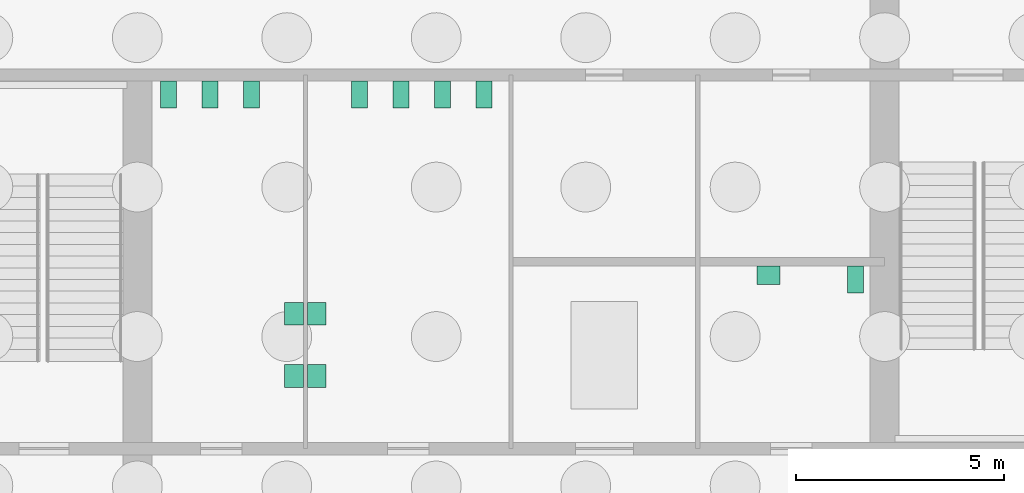
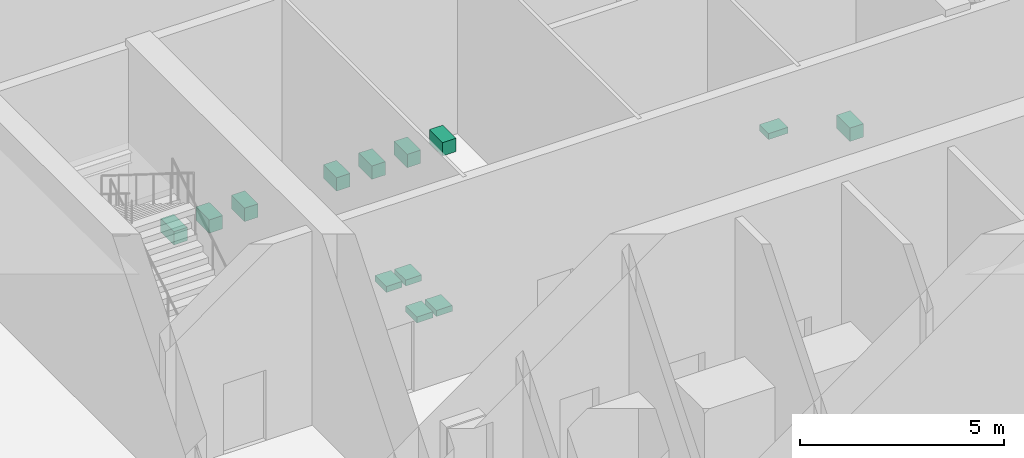
# One storey, part 23 of 24: 13 sanitary terminals.
"""IFC4 building model written with IfcOpenShell, lengths in metres."""

from ifc_helpers import new_model, si_unit, direction, frame, origin, origin_2d, place, context, subcontext, project, spatial, rectangle, extrude, material, type_object, element, save


model = new_model("IFC4")

# Units and contexts
model_context = context("Model", 3, precision=1e-05, world=origin(), true_north=direction((0.0, 1.0)))
body_context = subcontext(model_context, "Body", "Model", "MODEL_VIEW")
ifc_project = project(units=[si_unit("LENGTHUNIT", "METRE"), si_unit("AREAUNIT", "SQUARE_METRE"), si_unit("VOLUMEUNIT", "CUBIC_METRE"), si_unit("PLANEANGLEUNIT", "RADIAN"), si_unit("MASSUNIT", "GRAM", prefix="KILO")], contexts=[model_context])

# Site, building, storey
site_placement = place(None, origin())
site = spatial("IfcSite", under=ifc_project, at=site_placement, CompositionType="ELEMENT")
building_placement = place(site_placement, origin())
building = spatial("IfcBuilding", under=site, at=building_placement, Name="Corais Broadcast Tower", CompositionType="ELEMENT")
storey_placement = place(building_placement, origin())
storey = spatial("IfcBuildingStorey", under=building, at=storey_placement, Name="L00", CompositionType="ELEMENT", Elevation=0.0)

# Sanitary terminals
ifc_material_1 = material(Name="Vitreous china", Category="ceramic")
sanitary_terminal_type_1 = type_object("IfcSanitaryTerminalType", Name="WC pan 380x650", PredefinedType="TOILETPAN", material=ifc_material_1)
for number, where, z_axis, x_axis, name in (
    (1, (18.75, 31.02490234375, 0.0), (0.0, 0.0, 1.0), (1.0, 0.0, 0.0), "SW1 WC pan, male toilets L00"),
    (2, (19.75, 31.02490234375, 0.0), (0.0, 0.0, 1.0), (1.0, 0.0, 0.0), "SW1 WC pan, male toilets L00"),
    (3, (20.75, 31.02490234375, 0.0), (0.0, 0.0, 1.0), (1.0, 0.0, 0.0), "SW1 WC pan, male toilets L00"),
    (4, (23.35009765625, 31.02490234375, 0.0), (0.0, 0.0, 1.0), (1.0, 0.0, 0.0), "SW1 WC pan, female toilets L00"),
    (5, (24.35009765625, 31.02490234375, 0.0), (0.0, 0.0, 1.0), (1.0, 0.0, 0.0), "SW1 WC pan, female toilets L00"),
    (6, (25.35009765625, 31.02490234375, 0.0), (0.0, 0.0, 1.0), (1.0, 0.0, 0.0), "SW1 WC pan, female toilets L00"),
    (7, (26.35009765625, 31.02490234375, 0.0), (0.0, 0.0, 1.0), (1.0, 0.0, 0.0), "SW1 WC pan, female toilets L00"),
    (8, (35.300048828125, 26.574951171875, 0.0), (0.0, 0.0, 1.0), (1.0, 0.0, 0.0), "SW1 WC pan, accessible WC L00"),
):
    element("IfcSanitaryTerminal", number, at=place(storey_placement, frame(where, z_axis=z_axis, x_axis=x_axis)), inside=storey, type_object=sanitary_terminal_type_1, Name=name, PredefinedType="TOILETPAN", context=body_context, shape_type="SweptSolid", body=[
        extrude(rectangle(XDim=0.3798828125, YDim=0.64990234375, at=origin_2d()), origin(), (0.0, 0.0, 1.0), 0.39990234375),
    ])
ifc_material_2 = material(Name="Vitreous china", Category="ceramic")
sanitary_terminal_type_2 = type_object("IfcSanitaryTerminalType", Name="Wash basin 550x450", PredefinedType="WASHHANDBASIN", material=ifc_material_2)
for number, where, z_axis, x_axis, name in (
    (9, (21.77490234375, 24.25, 0.7001953125), (0.0, 0.0, 1.0), (1.0, 0.0, 0.0), "WB1 wash basin, male toilets L00"),
    (10, (21.77490234375, 25.75, 0.7001953125), (0.0, 0.0, 1.0), (1.0, 0.0, 0.0), "WB1 wash basin, male toilets L00"),
    (11, (22.324951171875, 24.25, 0.7001953125), (0.0, 0.0, 1.0), (1.0, 0.0, 0.0), "WB1 wash basin, female toilets L00"),
    (12, (22.324951171875, 25.75, 0.7001953125), (0.0, 0.0, 1.0), (1.0, 0.0, 0.0), "WB1 wash basin, female toilets L00"),
):
    element("IfcSanitaryTerminal", number, at=place(storey_placement, frame(where, z_axis=z_axis, x_axis=x_axis)), inside=storey, type_object=sanitary_terminal_type_2, Name=name, PredefinedType="WASHHANDBASIN", context=body_context, shape_type="SweptSolid", body=[
        extrude(rectangle(XDim=0.449951171875, YDim=0.550048828125, at=origin_2d()), origin(), (0.0, 0.0, 1.0), 0.179931640625),
    ])
sanitary_terminal_placement = place(storey_placement, frame((33.199951171875, 26.675048828125, 0.7001953125), z_axis=(0.0, 0.0, 1.0), x_axis=(1.0, 0.0, 0.0)))
element("IfcSanitaryTerminal", 13, at=sanitary_terminal_placement, inside=storey, type_object=sanitary_terminal_type_2, Name="WB1 wash basin, accessible WC L00", PredefinedType="WASHHANDBASIN", context=body_context, shape_type="SweptSolid", body=[
    extrude(rectangle(XDim=0.550048828125, YDim=0.449951171875, at=origin_2d()), origin(), (0.0, 0.0, 1.0), 0.179931640625),
])

save(model, "model.ifc")
